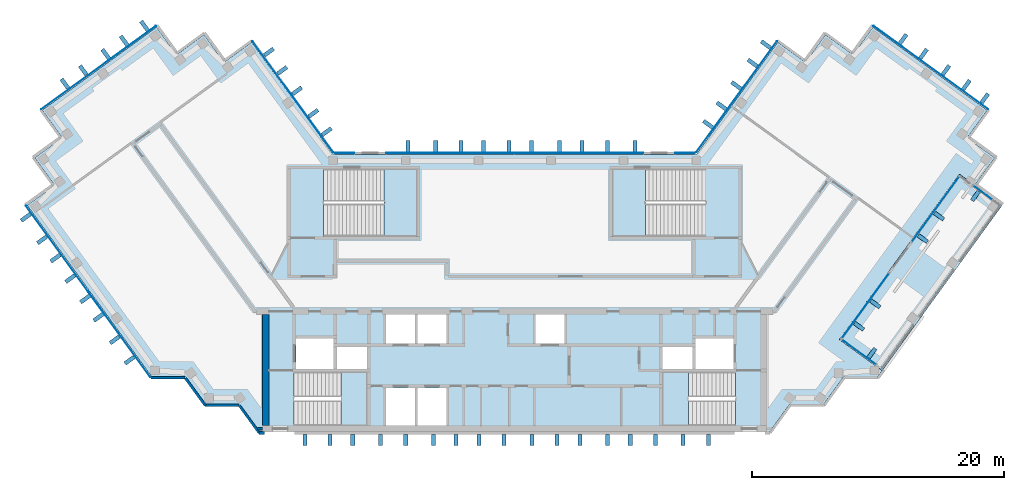
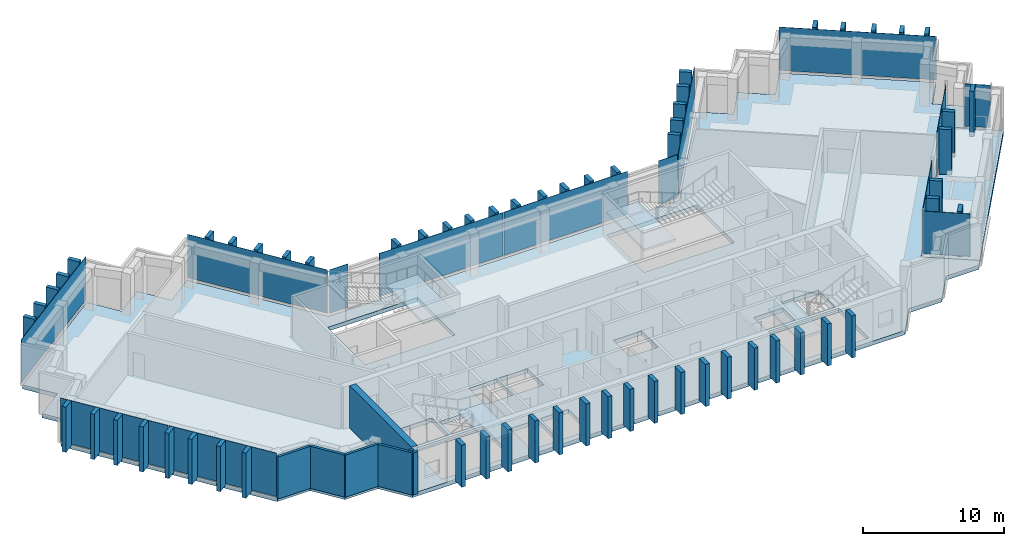
"""IFC4 building model written with IfcOpenShell, lengths in metres."""

from ifc_helpers import new_model, si_unit, direction, frame, frame_2d, origin, origin_2d, place, context, subcontext, project, spatial, polyline, rectangle, outline, extrude, material, layer, layer_set, type_object, element, aggregate, save


model = new_model("IFC4")

# Units and contexts
model_context = context("Model", 3, precision=1e-05, world=origin(), true_north=direction((0.0, 1.0)))
body_context = subcontext(model_context, "Body", "Model", "MODEL_VIEW")
ifc_project = project(units=[si_unit("LENGTHUNIT", "METRE"), si_unit("AREAUNIT", "SQUARE_METRE"), si_unit("VOLUMEUNIT", "CUBIC_METRE"), si_unit("PLANEANGLEUNIT", "RADIAN"), si_unit("MASSUNIT", "GRAM", prefix="KILO")], contexts=[model_context])

# Site, building, storey
site_placement = place(None, origin())
site = spatial("IfcSite", under=ifc_project, at=site_placement, CompositionType="ELEMENT")
building_placement = place(site_placement, origin())
building = spatial("IfcBuilding", under=site, at=building_placement, Name="Quipu Civic Tower", CompositionType="ELEMENT")
storey_1_placement = place(building_placement, frame((0.0, 0.0, 315.0)))
storey_1 = spatial("IfcBuildingStorey", under=building, at=storey_1_placement, Name="L73", CompositionType="ELEMENT", Elevation=315.0)

# Slab
ifc_material_1 = material(Name="Concrete C40/50", Category="concrete")
ifc_layer_1 = layer(ifc_material_1, 0.35009765625)
ifc_layer_set_1 = layer_set([ifc_layer_1], Name="Concrete C40/50")
slab_type_1 = type_object("IfcSlabType", Name="Floor slab 350 C40/50", PredefinedType="FLOOR", material=ifc_layer_set_1)
slab_1_placement = place(storey_1_placement, frame((0.0, 0.0, -0.35009765625)))
element("IfcSlab", 1, at=slab_1_placement, inside=storey_1, type_object=slab_type_1, Name="Floor slab L73", PredefinedType="FLOOR", context=body_context, shape_type="SweptSolid", body=[
    extrude(outline(polyline([(24.489990234375, -8.81494140625), (21.7900390625, -8.81494140625), (20.205078125, -11.0), (-20.205078125, -11.0), (-21.7900390625, -8.81494140625), (-24.489990234375, -8.81494140625), (-26.080078125, -6.6298828125), (-28.780029296875, -6.6298828125), (-38.655029296875, 6.965087890625), (-36.469970703125, 8.550048828125), (-38.06005859375, 10.735107421875), (-35.875, 12.320068359375), (-37.4599609375, 14.5048828125), (-28.39990234375, 21.090087890625), (-26.81494140625, 18.905029296875), (-24.6298828125, 20.4951171875), (-23.0400390625, 18.31005859375), (-20.860107421875, 19.89501953125), (-14.39501953125, 11.0), (14.39501953125, 11.0), (20.860107421875, 19.89501953125), (23.0400390625, 18.31005859375), (24.6298828125, 20.4951171875), (26.81494140625, 18.905029296875), (28.39990234375, 21.090087890625), (37.4599609375, 14.5048828125), (35.875, 12.320068359375), (38.06005859375, 10.735107421875), (36.469970703125, 8.550048828125), (35.260009765625, 9.43505859375), (25.735107421875, -3.675048828125), (29.135009765625, -6.139892578125), (28.780029296875, -6.6298828125), (26.080078125, -6.6298828125), (24.489990234375, -8.81494140625)]), holes=[polyline([(-10.199951171875, -10.5), (-7.89990234375, -10.5), (-7.89990234375, -7.5), (-10.199951171875, -7.5), (-10.199951171875, -10.5)]), polyline([(-7.699951171875, -7.5), (-7.699951171875, -10.5), (-5.39990234375, -10.5), (-5.39990234375, -7.5), (-7.699951171875, -7.5)]), polyline([(-11.705078125, -6.2548828125), (-17.4951171875, -6.2548828125), (-17.4951171875, -10.4951171875), (-11.705078125, -10.4951171875), (-11.705078125, -6.2548828125)]), polyline([(-14.10009765625, -6.0), (-11.699951171875, -6.0), (-11.699951171875, -4.25), (-14.10009765625, -4.25), (-14.10009765625, -6.0)]), polyline([(-17.35009765625, -3.60009765625), (-17.35009765625, -6.0), (-14.35009765625, -6.0), (-14.35009765625, -3.60009765625), (-17.35009765625, -3.60009765625)]), polyline([(-10.199951171875, -1.699951171875), (-10.199951171875, -4.0), (-7.89990234375, -4.0), (-7.89990234375, -1.699951171875), (-10.199951171875, -1.699951171875)]), polyline([(-15.14501953125, 9.844970703125), (-15.14501953125, 4.5048828125), (-7.7548828125, 4.5048828125), (-7.7548828125, 9.844970703125), (-15.14501953125, 9.844970703125)]), polyline([(11.705078125, -10.4951171875), (17.4951171875, -10.4951171875), (17.4951171875, -6.2548828125), (11.705078125, -6.2548828125), (11.705078125, -10.4951171875)]), polyline([(11.699951171875, -4.25), (11.699951171875, -6.0), (14.10009765625, -6.0), (14.10009765625, -4.25), (11.699951171875, -4.25)]), polyline([(14.35009765625, -3.60009765625), (14.35009765625, -6.0), (17.35009765625, -6.0), (17.35009765625, -3.60009765625), (14.35009765625, -3.60009765625)]), polyline([(-7.699951171875, -1.699951171875), (-7.699951171875, -4.0), (-5.39990234375, -4.0), (-5.39990234375, -1.699951171875), (-7.699951171875, -1.699951171875)]), polyline([(1.64990234375, -1.699951171875), (1.64990234375, -4.0), (3.949951171875, -4.0), (3.949951171875, -1.699951171875), (1.64990234375, -1.699951171875)]), polyline([(7.7548828125, 4.5048828125), (15.14501953125, 4.5048828125), (15.14501953125, 9.844970703125), (7.7548828125, 9.844970703125), (7.7548828125, 4.5048828125)])]), origin(), (0.0, 0.0, 1.0), 0.35009765625),
])

# Storey
storey_2_placement = place(building_placement, frame((0.0, 0.0, 311.0)))
storey_2 = spatial("IfcBuildingStorey", under=building, at=storey_2_placement, Name="L72", CompositionType="ELEMENT", Elevation=311.0)

# Curtain wall, plate
ifc_material_2 = material(Name="Insulated glass unit", Category="glass")
curtain_wall_type = type_object("IfcCurtainWallType", Name="Office curtain wall CW1", PredefinedType="NOTDEFINED", material=ifc_material_2)
curtain_wall_1_placement = place(storey_2_placement, origin())
curtain_wall_1 = element("IfcCurtainWall", 2, at=curtain_wall_1_placement, inside=storey_2, type_object=curtain_wall_type, Name="Office curtain wall CW1 L71 run 6", PredefinedType="NOTDEFINED")
ifc_material_3 = material(Name="Insulated glass unit", Category="glass")
ifc_layer_2 = layer(ifc_material_3, 0.028076171875)
ifc_layer_set_2 = layer_set([ifc_layer_2], Name="Insulated glass unit")
plate_type_1 = type_object("IfcPlateType", Name="Glass panel CW1", PredefinedType="CURTAIN_PANEL", material=ifc_layer_set_2)
plate_1_placement = place(storey_1_placement, frame((32.989990234375, 17.87939453125, 0.16015625), z_axis=(0.0, 0.0, 1.0), x_axis=(-0.809015176832, 0.587787753918, 0.0)))
plate_1 = element("IfcPlate", 3, at=plate_1_placement, inside=storey_1, type_object=plate_type_1, Name="CW1 panel 1.3", PredefinedType="CURTAIN_PANEL", context=body_context, shape_type="SweptSolid", body=[
    extrude(rectangle(XDim=11.239990234375, YDim=0.028076171875, at=origin_2d()), origin(), (0.0, 0.0, 1.0), 3.760009765625),
])
aggregate(curtain_wall_1, [plate_1])

curtain_wall_2_placement = place(storey_2_placement, origin())
curtain_wall_2 = element("IfcCurtainWall", 4, at=curtain_wall_2_placement, inside=storey_2, type_object=curtain_wall_type, Name="Office curtain wall CW1 L71 run 11", PredefinedType="NOTDEFINED")
plate_2_placement = place(storey_1_placement, frame((17.590087890625, 15.5673828125, 0.16015625), z_axis=(0.0, 0.0, 1.0), x_axis=(-0.587787771652, -0.809015163947, 0.0)))
plate_2 = element("IfcPlate", 5, at=plate_2_placement, inside=storey_1, type_object=plate_type_1, Name="CW1 panel 1.3", PredefinedType="CURTAIN_PANEL", context=body_context, shape_type="SweptSolid", body=[
    extrude(rectangle(XDim=10.88427734375, YDim=0.028076171875, at=origin_2d()), origin(), (0.0, 0.0, 1.0), 3.760009765625),
])
aggregate(curtain_wall_2, [plate_2])

curtain_wall_3_placement = place(storey_2_placement, origin())
curtain_wall_3 = element("IfcCurtainWall", 6, at=curtain_wall_3_placement, inside=storey_2, type_object=curtain_wall_type, Name="Office curtain wall CW1 L71 run 12", PredefinedType="NOTDEFINED")
plate_3_placement = place(storey_1_placement, frame((13.49951171875, 11.10009765625, 0.16015625), z_axis=(0.0, 0.0, 1.0), x_axis=(-1.0, 0.0, 0.0)))
plate_3 = element("IfcPlate", 7, at=plate_3_placement, inside=storey_1, type_object=plate_type_1, Name="CW1 panel 1.3", PredefinedType="CURTAIN_PANEL", context=body_context, shape_type="SweptSolid", body=[
    extrude(rectangle(XDim=1.529296875, YDim=0.028076171875, at=origin_2d()), origin(), (0.0, 0.0, 1.0), 3.760009765625),
])
aggregate(curtain_wall_3, [plate_3])

# Curtain wall, plates
curtain_wall_4_placement = place(storey_2_placement, origin())
curtain_wall_4 = element("IfcCurtainWall", 8, at=curtain_wall_4_placement, inside=storey_2, type_object=curtain_wall_type, Name="Office curtain wall CW1 L71 run 14", PredefinedType="NOTDEFINED")
plate_4_placement = place(storey_1_placement, frame((5.11181640625, 11.10009765625, 0.16015625), z_axis=(0.0, 0.0, 1.0), x_axis=(-1.0, 0.0, 0.0)))
plate_4 = element("IfcPlate", 9, at=plate_4_placement, inside=storey_1, type_object=plate_type_1, Name="CW1 panel 1.3", PredefinedType="CURTAIN_PANEL", context=body_context, shape_type="SweptSolid", body=[
    extrude(rectangle(XDim=10.1435546875, YDim=0.028076171875, at=origin_2d()), origin(), (0.0, 0.0, 1.0), 3.760009765625),
])
plate_5_placement = place(storey_1_placement, frame((-5.11181640625, 11.10009765625, 0.16015625), z_axis=(0.0, 0.0, 1.0), x_axis=(-1.0, 0.0, 0.0)))
plate_5 = element("IfcPlate", 10, at=plate_5_placement, inside=storey_1, type_object=plate_type_1, Name="CW1 panel 2.3", PredefinedType="CURTAIN_PANEL", context=body_context, shape_type="SweptSolid", body=[
    extrude(rectangle(XDim=10.1435546875, YDim=0.028076171875, at=origin_2d()), origin(), (0.0, 0.0, 1.0), 3.760009765625),
])
aggregate(curtain_wall_4, [plate_4, plate_5])

# Curtain wall, plate
curtain_wall_5_placement = place(storey_2_placement, origin())
curtain_wall_5 = element("IfcCurtainWall", 11, at=curtain_wall_5_placement, inside=storey_2, type_object=curtain_wall_type, Name="Office curtain wall CW1 L71 run 16", PredefinedType="NOTDEFINED")
plate_6_placement = place(storey_1_placement, frame((-13.49951171875, 11.10009765625, 0.16015625), z_axis=(0.0, 0.0, 1.0), x_axis=(-1.0, 0.0, 0.0)))
plate_6 = element("IfcPlate", 12, at=plate_6_placement, inside=storey_1, type_object=plate_type_1, Name="CW1 panel 1.3", PredefinedType="CURTAIN_PANEL", context=body_context, shape_type="SweptSolid", body=[
    extrude(rectangle(XDim=1.529296875, YDim=0.028076171875, at=origin_2d()), origin(), (0.0, 0.0, 1.0), 3.760009765625),
])
aggregate(curtain_wall_5, [plate_6])

curtain_wall_6_placement = place(storey_2_placement, origin())
curtain_wall_6 = element("IfcCurtainWall", 13, at=curtain_wall_6_placement, inside=storey_2, type_object=curtain_wall_type, Name="Office curtain wall CW1 L71 run 17", PredefinedType="NOTDEFINED")
plate_7_placement = place(storey_1_placement, frame((-17.590087890625, 15.5673828125, 0.16015625), z_axis=(0.0, 0.0, 1.0), x_axis=(-0.587787771652, 0.809015163947, 0.0)))
plate_7 = element("IfcPlate", 14, at=plate_7_placement, inside=storey_1, type_object=plate_type_1, Name="CW1 panel 1.3", PredefinedType="CURTAIN_PANEL", context=body_context, shape_type="SweptSolid", body=[
    extrude(rectangle(XDim=10.88427734375, YDim=0.028076171875, at=origin_2d()), origin(), (0.0, 0.0, 1.0), 3.760009765625),
])
aggregate(curtain_wall_6, [plate_7])

curtain_wall_7_placement = place(storey_2_placement, origin())
curtain_wall_7 = element("IfcCurtainWall", 15, at=curtain_wall_7_placement, inside=storey_2, type_object=curtain_wall_type, Name="Office curtain wall CW1 L71 run 22", PredefinedType="NOTDEFINED")
plate_8_placement = place(storey_1_placement, frame((-32.989990234375, 17.87939453125, 0.16015625), z_axis=(0.0, 0.0, 1.0), x_axis=(-0.809015176832, -0.587787753918, 0.0)))
plate_8 = element("IfcPlate", 16, at=plate_8_placement, inside=storey_1, type_object=plate_type_1, Name="CW1 panel 1.3", PredefinedType="CURTAIN_PANEL", context=body_context, shape_type="SweptSolid", body=[
    extrude(rectangle(XDim=11.239990234375, YDim=0.028076171875, at=origin_2d()), origin(), (0.0, 0.0, 1.0), 3.760009765625),
])
aggregate(curtain_wall_7, [plate_8])

# Curtain wall, plates
curtain_wall_8_placement = place(storey_2_placement, origin())
curtain_wall_8 = element("IfcCurtainWall", 17, at=curtain_wall_8_placement, inside=storey_2, type_object=curtain_wall_type, Name="Office curtain wall CW1 L71 run 27", PredefinedType="NOTDEFINED")
plate_9_placement = place(storey_1_placement, frame((-36.292724609375, 3.54052734375, 0.16015625), z_axis=(0.0, 0.0, 1.0), x_axis=(0.587786237643, -0.809016278475, 0.0)))
plate_9 = element("IfcPlate", 18, at=plate_9_placement, inside=storey_1, type_object=plate_type_1, Name="CW1 panel 1.3", PredefinedType="CURTAIN_PANEL", context=body_context, shape_type="SweptSolid", body=[
    extrude(rectangle(XDim=8.35791015625, YDim=0.028076171875, at=origin_2d()), origin(), (0.0, 0.0, 1.0), 3.760009765625),
])
plate_10_placement = place(storey_1_placement, frame((-31.333251953125, -3.285888671875, 0.16015625), z_axis=(0.0, 0.0, 1.0), x_axis=(0.587786237643, -0.809016278475, 0.0)))
plate_10 = element("IfcPlate", 19, at=plate_10_placement, inside=storey_1, type_object=plate_type_1, Name="CW1 panel 2.3", PredefinedType="CURTAIN_PANEL", context=body_context, shape_type="SweptSolid", body=[
    extrude(rectangle(XDim=8.35791015625, YDim=0.028076171875, at=origin_2d()), origin(), (0.0, 0.0, 1.0), 3.760009765625),
])
aggregate(curtain_wall_8, [plate_9, plate_10])

# Curtain wall, plate
curtain_wall_9_placement = place(storey_1_placement, origin())
curtain_wall_9 = element("IfcCurtainWall", 20, at=curtain_wall_9_placement, inside=storey_1, type_object=curtain_wall_type, Name="Office curtain wall CW1 L73 run 3", PredefinedType="NOTDEFINED")
plate_11_placement = place(storey_1_placement, frame((27.285400390625, -4.675048828125, 0.240234375), z_axis=(0.0, 0.0, 1.0), x_axis=(-0.809017734628, 0.58778423342, 0.0)))
plate_11 = element("IfcPlate", 21, at=plate_11_placement, type_object=plate_type_1, Name="CW1 panel 1.1", PredefinedType="CURTAIN_PANEL", context=body_context, shape_type="SweptSolid", body=[
    extrude(rectangle(XDim=3.32421875, YDim=0.028076171875, at=origin_2d()), origin(), (0.0, 0.0, 1.0), 3.679931640625),
])
aggregate(curtain_wall_9, [plate_11])

curtain_wall_10_placement = place(storey_1_placement, origin())
curtain_wall_10 = element("IfcCurtainWall", 22, at=curtain_wall_10_placement, inside=storey_1, type_object=curtain_wall_type, Name="Office curtain wall CW1 L73 run 4", PredefinedType="NOTDEFINED")
plate_12_placement = place(storey_1_placement, frame((27.791748046875, -1.014404296875, 0.240234375), z_axis=(0.0, 0.0, 1.0), x_axis=(0.58779308198, 0.809011305716, 0.0)))
plate_12 = element("IfcPlate", 23, at=plate_12_placement, type_object=plate_type_1, Name="CW1 panel 1.1", PredefinedType="CURTAIN_PANEL", context=body_context, shape_type="SweptSolid", body=[
    extrude(rectangle(XDim=6.3583984375, YDim=0.028076171875, at=origin_2d()), origin(), (0.0, 0.0, 1.0), 3.679931640625),
])
aggregate(curtain_wall_10, [plate_12])

curtain_wall_11_placement = place(storey_1_placement, origin())
curtain_wall_11 = element("IfcCurtainWall", 24, at=curtain_wall_11_placement, inside=storey_1, type_object=curtain_wall_type, Name="Office curtain wall CW1 L73 run 6", PredefinedType="NOTDEFINED")
plate_13_placement = place(storey_1_placement, frame((33.364990234375, 6.65625, 0.240234375), z_axis=(0.0, 0.0, 1.0), x_axis=(0.58778578689, 0.809016605967, 0.0)))
plate_13 = element("IfcPlate", 25, at=plate_13_placement, type_object=plate_type_1, Name="CW1 panel 1.1", PredefinedType="CURTAIN_PANEL", context=body_context, shape_type="SweptSolid", body=[
    extrude(rectangle(XDim=6.358642578125, YDim=0.028076171875, at=origin_2d()), origin(), (0.0, 0.0, 1.0), 3.679931640625),
])
aggregate(curtain_wall_11, [plate_13])

curtain_wall_12_placement = place(storey_1_placement, origin())
curtain_wall_12 = element("IfcCurtainWall", 26, at=curtain_wall_12_placement, inside=storey_1, type_object=curtain_wall_type, Name="Office curtain wall CW1 L73 run 8", PredefinedType="NOTDEFINED")
plate_14_placement = place(storey_1_placement, frame((37.1015625, 7.969970703125, 0.240234375), z_axis=(0.0, 0.0, 1.0), x_axis=(0.809017113705, -0.587785088049, 0.0)))
plate_14 = element("IfcPlate", 27, at=plate_14_placement, type_object=plate_type_1, Name="CW1 panel 1.1", PredefinedType="CURTAIN_PANEL", context=body_context, shape_type="SweptSolid", body=[
    extrude(rectangle(XDim=1.839599609375, YDim=0.028076171875, at=origin_2d()), origin(), (0.0, 0.0, 1.0), 3.679931640625),
])
aggregate(curtain_wall_12, [plate_14])

# Plates
ifc_material_4 = material(Name="Precast concrete C40/50", Category="concrete")
plate_type_2 = type_object("IfcPlateType", Name="Precast fin F3", PredefinedType="SHEET", material=ifc_material_4)
for number, where, z_axis, x_axis, name in (
    (28, (37.26953125, 15.449951171875, 0.080078125), (0.0, 0.0, 1.0), (-0.809017072762, 0.587785144401, 0.0), "Precast fin F3 L73.P02.1"),
    (29, (35.813232421875, 16.508056640625, 0.080078125), (0.0, 0.0, 1.0), (-0.809017072762, 0.587785144401, 0.0), "Precast fin F3 L73.P02.2"),
    (30, (34.1953125, 17.68359375, 0.080078125), (0.0, 0.0, 1.0), (-0.809017072762, 0.587785144401, 0.0), "Precast fin F3 L73.P02.3"),
    (31, (32.415283203125, 18.976806640625, 0.080078125), (0.0, 0.0, 1.0), (-0.809017072762, 0.587785144401, 0.0), "Precast fin F3 L73.P02.4"),
    (32, (30.79736328125, 20.15234375, 0.080078125), (0.0, 0.0, 1.0), (-0.809017072762, 0.587785144401, 0.0), "Precast fin F3 L73.P02.5"),
    (33, (19.914794921875, 19.702880859375, 0.080078125), (0.0, 0.0, 1.0), (-0.58778443384, -0.809017589015, 0.0), "Precast fin F3 L73.P07.1"),
    (34, (18.856689453125, 18.246826171875, 0.080078125), (0.0, 0.0, 1.0), (-0.58778443384, -0.809017589015, 0.0), "Precast fin F3 L73.P07.2"),
    (35, (17.563720703125, 16.466796875, 0.080078125), (0.0, 0.0, 1.0), (-0.58778443384, -0.809017589015, 0.0), "Precast fin F3 L73.P07.3"),
    (36, (16.38818359375, 14.848876953125, 0.080078125), (0.0, 0.0, 1.0), (-0.58778443384, -0.809017589015, 0.0), "Precast fin F3 L73.P07.4"),
    (37, (15.330078125, 13.392578125, 0.080078125), (0.0, 0.0, 1.0), (-0.58778443384, -0.809017589015, 0.0), "Precast fin F3 L73.P07.5"),
    (38, (9.5400390625, 11.64990234375, 0.080078125), (0.0, 0.0, 1.0), (-1.0, 0.0, 0.0), "Precast fin F3 L73.P10.1"),
    (39, (7.340087890625, 11.64990234375, 0.080078125), (0.0, 0.0, 1.0), (-1.0, 0.0, 0.0), "Precast fin F3 L73.P10.2"),
    (40, (5.340087890625, 11.64990234375, 0.080078125), (0.0, 0.0, 1.0), (-1.0, 0.0, 0.0), "Precast fin F3 L73.P10.3"),
    (41, (3.5400390625, 11.64990234375, 0.080078125), (0.0, 0.0, 1.0), (-1.0, 0.0, 0.0), "Precast fin F3 L73.P10.4"),
    (42, (1.340087890625, 11.64990234375, 0.080078125), (0.0, 0.0, 1.0), (-1.0, 0.0, 0.0), "Precast fin F3 L73.P10.5"),
    (43, (-0.4599609375, 11.64990234375, 0.080078125), (0.0, 0.0, 1.0), (-1.0, 0.0, 0.0), "Precast fin F3 L73.P10.6"),
    (44, (-2.4599609375, 11.64990234375, 0.080078125), (0.0, 0.0, 1.0), (-1.0, 0.0, 0.0), "Precast fin F3 L73.P10.7"),
    (45, (-4.260009765625, 11.64990234375, 0.080078125), (0.0, 0.0, 1.0), (-1.0, 0.0, 0.0), "Precast fin F3 L73.P10.8"),
    (46, (-6.260009765625, 11.64990234375, 0.080078125), (0.0, 0.0, 1.0), (-1.0, 0.0, 0.0), "Precast fin F3 L73.P10.9"),
    (47, (-8.4599609375, 11.64990234375, 0.080078125), (0.0, 0.0, 1.0), (-1.0, 0.0, 0.0), "Precast fin F3 L73.P10.10"),
    (48, (-14.90380859375, 12.805908203125, 0.080078125), (0.0, 0.0, 1.0), (-0.58778443384, 0.809017589015, 0.0), "Precast fin F3 L73.P13.1"),
    (49, (-15.9619140625, 14.26220703125, 0.080078125), (0.0, 0.0, 1.0), (-0.58778443384, 0.809017589015, 0.0), "Precast fin F3 L73.P13.2"),
    (50, (-17.2548828125, 16.0419921875, 0.080078125), (0.0, 0.0, 1.0), (-0.58778443384, 0.809017589015, 0.0), "Precast fin F3 L73.P13.3"),
    (51, (-18.4306640625, 17.66015625, 0.080078125), (0.0, 0.0, 1.0), (-0.58778443384, 0.809017589015, 0.0), "Precast fin F3 L73.P13.4"),
    (52, (-19.488525390625, 19.1162109375, 0.080078125), (0.0, 0.0, 1.0), (-0.58778443384, 0.809017589015, 0.0), "Precast fin F3 L73.P13.5"),
    (53, (-29.357177734375, 21.198486328125, 0.080078125), (0.0, 0.0, 1.0), (-0.809017072762, -0.587785144401, 0.0), "Precast fin F3 L73.P18.1"),
    (54, (-30.975341796875, 20.02294921875, 0.080078125), (0.0, 0.0, 1.0), (-0.809017072762, -0.587785144401, 0.0), "Precast fin F3 L73.P18.2"),
    (55, (-32.431640625, 18.96484375, 0.080078125), (0.0, 0.0, 1.0), (-0.809017072762, -0.587785144401, 0.0), "Precast fin F3 L73.P18.3"),
    (56, (-34.21142578125, 17.671875, 0.080078125), (0.0, 0.0, 1.0), (-0.809017072762, -0.587785144401, 0.0), "Precast fin F3 L73.P18.4"),
    (57, (-35.66748046875, 16.61376953125, 0.080078125), (0.0, 0.0, 1.0), (-0.809017072762, -0.587785144401, 0.0), "Precast fin F3 L73.P18.5"),
    (58, (-38.764892578125, 6.007568359375, 0.080078125), (0.0, 0.0, 1.0), (0.587786668783, -0.809015965233, 0.0), "Precast fin F3 L73.P23.1"),
    (59, (-37.4716796875, 4.227783203125, 0.080078125), (0.0, 0.0, 1.0), (0.587786668783, -0.809015965233, 0.0), "Precast fin F3 L73.P23.2"),
    (60, (-36.413818359375, 2.771484375, 0.080078125), (0.0, 0.0, 1.0), (0.587786668783, -0.809015965233, 0.0), "Precast fin F3 L73.P23.3"),
    (61, (-35.23828125, 1.1533203125, 0.080078125), (0.0, 0.0, 1.0), (0.587786668783, -0.809015965233, 0.0), "Precast fin F3 L73.P23.4"),
    (62, (-34.062744140625, -0.464599609375, 0.080078125), (0.0, 0.0, 1.0), (0.587786668783, -0.809015965233, 0.0), "Precast fin F3 L73.P23.5"),
    (63, (-33.004638671875, -1.9208984375, 0.080078125), (0.0, 0.0, 1.0), (0.587786668783, -0.809015965233, 0.0), "Precast fin F3 L73.P23.6"),
    (64, (-31.71142578125, -3.70068359375, 0.080078125), (0.0, 0.0, 1.0), (0.587786668783, -0.809015965233, 0.0), "Precast fin F3 L73.P23.7"),
    (65, (-30.535888671875, -5.318603515625, 0.080078125), (0.0, 0.0, 1.0), (0.587786668783, -0.809015965233, 0.0), "Precast fin F3 L73.P23.8"),
):
    element("IfcPlate", number, at=place(storey_1_placement, frame(where, z_axis=z_axis, x_axis=x_axis)), inside=storey_1, type_object=plate_type_2, Name=name, PredefinedType="SHEET", context=body_context, shape_type="SweptSolid", body=[
        extrude(rectangle(XDim=0.320068359375, YDim=0.89990234375, at=origin_2d()), origin(), (0.0, 0.0, 1.0), 3.919921875),
    ])
for number, where, z_axis, x_axis, name in (
    (66, (-16.639892578125, -11.637939453125, 0.0), (0.0, 0.0, 1.0), (1.0, 0.0, 0.0), "Precast fin F3 L73.P30.1"),
    (67, (-14.639892578125, -11.637939453125, 0.0), (0.0, 0.0, 1.0), (1.0, 0.0, 0.0), "Precast fin F3 L73.P30.2"),
    (68, (-12.840087890625, -11.637939453125, 0.0), (0.0, 0.0, 1.0), (1.0, 0.0, 0.0), "Precast fin F3 L73.P30.3"),
    (69, (-10.639892578125, -11.637939453125, 0.0), (0.0, 0.0, 1.0), (1.0, 0.0, 0.0), "Precast fin F3 L73.P30.4"),
    (70, (-8.639892578125, -11.637939453125, 0.0), (0.0, 0.0, 1.0), (1.0, 0.0, 0.0), "Precast fin F3 L73.P30.5"),
    (71, (-6.43994140625, -11.637939453125, 0.0), (0.0, 0.0, 1.0), (1.0, 0.0, 0.0), "Precast fin F3 L73.P30.6"),
    (72, (-4.639892578125, -11.637939453125, 0.0), (0.0, 0.0, 1.0), (1.0, 0.0, 0.0), "Precast fin F3 L73.P30.7"),
    (73, (-2.840087890625, -11.637939453125, 0.0), (0.0, 0.0, 1.0), (1.0, 0.0, 0.0), "Precast fin F3 L73.P30.8"),
    (74, (-0.840087890625, -11.637939453125, 0.0), (0.0, 0.0, 1.0), (1.0, 0.0, 0.0), "Precast fin F3 L73.P30.9"),
    (75, (1.360107421875, -11.637939453125, 0.0), (0.0, 0.0, 1.0), (1.0, 0.0, 0.0), "Precast fin F3 L73.P30.10"),
    (76, (3.360107421875, -11.637939453125, 0.0), (0.0, 0.0, 1.0), (1.0, 0.0, 0.0), "Precast fin F3 L73.P30.11"),
    (77, (5.159912109375, -11.637939453125, 0.0), (0.0, 0.0, 1.0), (1.0, 0.0, 0.0), "Precast fin F3 L73.P30.12"),
    (78, (7.360107421875, -11.637939453125, 0.0), (0.0, 0.0, 1.0), (1.0, 0.0, 0.0), "Precast fin F3 L73.P30.13"),
    (79, (9.159912109375, -11.637939453125, 0.0), (0.0, 0.0, 1.0), (1.0, 0.0, 0.0), "Precast fin F3 L73.P30.14"),
    (80, (11.159912109375, -11.637939453125, 0.0), (0.0, 0.0, 1.0), (1.0, 0.0, 0.0), "Precast fin F3 L73.P30.15"),
    (81, (13.360107421875, -11.637939453125, 0.0), (0.0, 0.0, 1.0), (1.0, 0.0, 0.0), "Precast fin F3 L73.P30.16"),
    (82, (15.360107421875, -11.637939453125, 0.0), (0.0, 0.0, 1.0), (1.0, 0.0, 0.0), "Precast fin F3 L73.P30.17"),
):
    element("IfcPlate", number, at=place(storey_1_placement, frame(where, z_axis=z_axis, x_axis=x_axis)), inside=storey_1, type_object=plate_type_2, Name=name, PredefinedType="SHEET", context=body_context, shape_type="SweptSolid", body=[
        extrude(rectangle(XDim=0.320068359375, YDim=0.89990234375, at=origin_2d()), origin(), (0.0, 0.0, 1.0), 3.64990234375),
    ])
for number, where, z_axis, x_axis, name in (
    (83, (28.322265625, -4.74853515625, 0.080078125), (0.0, 0.0, 1.0), (-0.809019129244, 0.587782313886, 0.0), "Precast fin F3 L73.3.1"),
    (84, (27.296875, -2.631591796875, 0.080078125), (0.0, 0.0, 1.0), (0.587790651094, 0.809013071889, 0.0), "Precast fin F3 L73.4.1"),
    (85, (28.58984375, -0.8515625, 0.080078125), (0.0, 0.0, 1.0), (0.587790651094, 0.809013071889, 0.0), "Precast fin F3 L73.4.2"),
    (86, (32.351806640625, 4.325927734375, 0.080078125), (0.0, 0.0, 1.0), (0.587790651094, 0.809013071889, 0.0), "Precast fin F3 L73.6.1"),
    (87, (33.644775390625, 6.105712890625, 0.080078125), (0.0, 0.0, 1.0), (0.587790651094, 0.809013071889, 0.0), "Precast fin F3 L73.6.2"),
    (88, (36.528076171875, 7.706787109375, 0.080078125), (0.0, 0.0, 1.0), (0.809010903145, -0.587793636059, 0.0), "Precast fin F3 L73.8.1"),
):
    element("IfcPlate", number, at=place(storey_1_placement, frame(where, z_axis=z_axis, x_axis=x_axis)), inside=storey_1, type_object=plate_type_2, Name=name, PredefinedType="SHEET", context=body_context, shape_type="SweptSolid", body=[
        extrude(rectangle(XDim=0.320068359375, YDim=0.89990234375, at=origin_2d()), origin(), (0.0, 0.0, 1.0), 3.919921875),
    ])

# Stair, slab
ifc_material_5 = material(Name="Concrete C40/50", Category="concrete")
stair_type_1 = type_object("IfcStairType", Name="Half turn stair 2000", PredefinedType="HALF_TURN_STAIR", material=ifc_material_5)
stair_1_placement = place(storey_1_placement, origin())
stair_1 = element("IfcStair", 89, at=stair_1_placement, inside=storey_1, type_object=stair_type_1, Name="Exit stair 1", PredefinedType="HALF_TURN_STAIR")
ifc_material_6 = material(Name="Concrete C40/50", Category="concrete")
ifc_layer_3 = layer(ifc_material_6, 0.199951171875)
ifc_layer_set_3 = layer_set([ifc_layer_3], Name="Concrete C40/50")
slab_type_2 = type_object("IfcSlabType", Name="Stair landing 200", PredefinedType="LANDING", material=ifc_layer_set_3)
slab_2_placement = place(storey_1_placement, frame((0.0, 0.0, 1.800048828125)))
slab_2 = element("IfcSlab", 90, at=slab_2_placement, type_object=slab_type_2, Name="ST-1 landing 1", PredefinedType="LANDING", context=body_context, shape_type="SweptSolid", body=[
    extrude(outline(polyline([(-13.780029296875, -10.5), (-11.699951171875, -10.5), (-11.699951171875, -6.25), (-13.780029296875, -6.25), (-13.780029296875, -10.5)])), origin(), (0.0, 0.0, 1.0), 0.199951171875),
])
aggregate(stair_1, [slab_2])

stair_2_placement = place(storey_1_placement, origin())
stair_2 = element("IfcStair", 91, at=stair_2_placement, inside=storey_1, type_object=stair_type_1, Name="Exit stair 2", PredefinedType="HALF_TURN_STAIR")
slab_3_placement = place(storey_1_placement, frame((0.0, 0.0, 1.800048828125)))
slab_3 = element("IfcSlab", 92, at=slab_3_placement, type_object=slab_type_2, Name="ST-2 landing 1", PredefinedType="LANDING", context=body_context, shape_type="SweptSolid", body=[
    extrude(outline(polyline([(13.780029296875, -6.25), (11.699951171875, -6.25), (11.699951171875, -10.5), (13.780029296875, -10.5), (13.780029296875, -6.25)])), origin(), (0.0, 0.0, 1.0), 0.199951171875),
])
aggregate(stair_2, [slab_3])

ifc_material_7 = material(Name="Concrete C40/50", Category="concrete")
stair_type_2 = type_object("IfcStairType", Name="Half turn stair 2600", PredefinedType="HALF_TURN_STAIR", material=ifc_material_7)
stair_3_placement = place(storey_1_placement, origin())
stair_3 = element("IfcStair", 93, at=stair_3_placement, inside=storey_1, type_object=stair_type_2, Name="Exit stair 3", PredefinedType="HALF_TURN_STAIR")
slab_4_placement = place(storey_1_placement, frame((0.0, 0.0, 1.800048828125)))
slab_4 = element("IfcSlab", 94, at=slab_4_placement, type_object=slab_type_2, Name="ST-3 landing 1", PredefinedType="LANDING", context=body_context, shape_type="SweptSolid", body=[
    extrude(outline(polyline([(-10.35009765625, 4.5), (-7.75, 4.5), (-7.75, 9.85009765625), (-10.35009765625, 9.85009765625), (-10.35009765625, 4.5)])), origin(), (0.0, 0.0, 1.0), 0.199951171875),
])
aggregate(stair_3, [slab_4])

stair_4_placement = place(storey_1_placement, origin())
stair_4 = element("IfcStair", 95, at=stair_4_placement, inside=storey_1, type_object=stair_type_2, Name="Exit stair 4", PredefinedType="HALF_TURN_STAIR")
slab_5_placement = place(storey_1_placement, frame((0.0, 0.0, 1.800048828125)))
slab_5 = element("IfcSlab", 96, at=slab_5_placement, type_object=slab_type_2, Name="ST-4 landing 1", PredefinedType="LANDING", context=body_context, shape_type="SweptSolid", body=[
    extrude(outline(polyline([(10.35009765625, 9.85009765625), (7.75, 9.85009765625), (7.75, 4.5), (10.35009765625, 4.5), (10.35009765625, 9.85009765625)])), origin(), (0.0, 0.0, 1.0), 0.199951171875),
])
aggregate(stair_4, [slab_5])

# Slab
ifc_material_8 = material(Name="Concrete C40/50", Category="concrete")
ifc_layer_4 = layer(ifc_material_8, 0.35009765625)
ifc_layer_set_4 = layer_set([ifc_layer_4], Name="Concrete C40/50")
slab_type_3 = type_object("IfcSlabType", Name="Terrace slab 350 C40/50", PredefinedType="FLOOR", material=ifc_layer_set_4)
slab_6_placement = place(storey_1_placement, frame((0.0, 0.0, -0.35009765625)))
element("IfcSlab", 97, at=slab_6_placement, inside=storey_1, type_object=slab_type_3, Name="Terrace slab L73", PredefinedType="FLOOR", context=body_context, shape_type="SweptSolid", body=[
    extrude(outline(polyline([(38.655029296875, 6.965087890625), (29.135009765625, -6.139892578125), (25.735107421875, -3.675048828125), (35.260009765625, 9.43505859375), (38.655029296875, 6.965087890625)])), origin(), (0.0, 0.0, 1.0), 0.35009765625),
])

# Walls
ifc_material_9 = material(Name="Concrete C70/85", Category="concrete")
ifc_layer_5 = layer(ifc_material_9, 0.5)
ifc_layer_set_5 = layer_set([ifc_layer_5], Name="Concrete C70/85")
wall_type_1 = type_object("IfcWallType", Name="Core wall 500", PredefinedType="SHEAR", material=ifc_layer_set_5)
wall_1_placement = place(storey_1_placement, frame((-19.75, -10.5, 0.0), z_axis=(0.0, 0.0, 1.0), x_axis=(0.0, 1.0, 0.0)))
element("IfcWall", 98, at=wall_1_placement, inside=storey_1, type_object=wall_type_1, Name="Core wall", PredefinedType="SHEAR", context=body_context, shape_type="SweptSolid", body=[
    extrude(rectangle(XDim=8.800048828125, YDim=0.5, at=frame_2d((4.39990234375, 0.0))), origin(), (0.0, 0.0, 1.0), 3.64990234375),
])
ifc_material_10 = material(Name="Precast concrete C40/50", Category="concrete")
wall_type_2 = type_object("IfcWallType", Name="Precast cladding wall", PredefinedType="SOLIDWALL", material=ifc_material_10)
wall_2_placement = place(storey_1_placement, frame((-28.829833984375, -6.71923828125, 0.0), z_axis=(0.0, 0.0, 1.0), x_axis=(1.0, 0.0, 0.0)))
element("IfcWall", 99, at=wall_2_placement, inside=storey_1, type_object=wall_type_2, Name="Precast cladding wall L73 P24", PredefinedType="SOLIDWALL", context=body_context, shape_type="SweptSolid", body=[
    extrude(rectangle(XDim=2.699951171875, YDim=0.199951171875, at=frame_2d((1.35009765625, 0.0))), origin(), (0.0, 0.0, 1.0), 3.64990234375),
])
wall_3_placement = place(storey_1_placement, frame((-26.1201171875, -6.72412109375, 0.0), z_axis=(0.0, 0.0, 1.0), x_axis=(0.587720002413, -0.809064397168, 0.0)))
element("IfcWall", 100, at=wall_3_placement, inside=storey_1, type_object=wall_type_2, Name="Precast cladding wall L73 P25", PredefinedType="SOLIDWALL", context=body_context, shape_type="SweptSolid", body=[
    extrude(rectangle(XDim=2.7001953125, YDim=0.199951171875, at=frame_2d((1.35009765625, 0.0))), origin(), (0.0, 0.0, 1.0), 3.64990234375),
])
wall_4_placement = place(storey_1_placement, frame((-24.542724609375, -8.90380859375, 0.0), z_axis=(0.0, 0.0, 1.0), x_axis=(1.0, 0.0, 0.0)))
element("IfcWall", 101, at=wall_4_placement, inside=storey_1, type_object=wall_type_2, Name="Precast cladding wall L73 P26", PredefinedType="SOLIDWALL", context=body_context, shape_type="SweptSolid", body=[
    extrude(rectangle(XDim=2.699951171875, YDim=0.199951171875, at=frame_2d((1.35009765625, 0.0))), origin(), (0.0, 0.0, 1.0), 3.64990234375),
])
wall_5_placement = place(storey_1_placement, frame((-21.8330078125, -8.90869140625, 0.0), z_axis=(0.0, 0.0, 1.0), x_axis=(0.587766567315, -0.809030569476, 0.0)))
element("IfcWall", 102, at=wall_5_placement, inside=storey_1, type_object=wall_type_2, Name="Precast cladding wall L73 P27", PredefinedType="SOLIDWALL", context=body_context, shape_type="SweptSolid", body=[
    extrude(rectangle(XDim=2.687744140625, YDim=0.199951171875, at=frame_2d((1.34375, 0.0))), origin(), (0.0, 0.0, 1.0), 3.64990234375),
])
wall_6_placement = place(storey_1_placement, frame((-20.255859375, -11.087890625, 0.0), z_axis=(0.0, 0.0, 1.0), x_axis=(1.0, 0.0, 0.0)))
element("IfcWall", 103, at=wall_6_placement, inside=storey_1, type_object=wall_type_2, Name="Precast cladding wall L73 P28", PredefinedType="SOLIDWALL", context=body_context, shape_type="SweptSolid", body=[
    extrude(rectangle(XDim=0.40576171875, YDim=0.199951171875, at=frame_2d((0.202880859375, 0.0))), origin(), (0.0, 0.0, 1.0), 3.64990234375),
])
wall_7_placement = place(storey_1_placement, frame((-19.97998046875, -10.75, 0.0), z_axis=(0.0, 0.0, 1.0), x_axis=(-1.0, 0.0, 0.0)))
element("IfcWall", 104, at=wall_7_placement, inside=storey_1, type_object=wall_type_2, Name="Precast cladding return L73 W", PredefinedType="SOLIDWALL", context=body_context, shape_type="SweptSolid", body=[
    extrude(rectangle(XDim=0.41650390625, YDim=0.199951171875, at=frame_2d((0.208251953125, 0.0))), origin(), (0.0, 0.0, 1.0), 3.64990234375),
])

save(model, "model.ifc")
